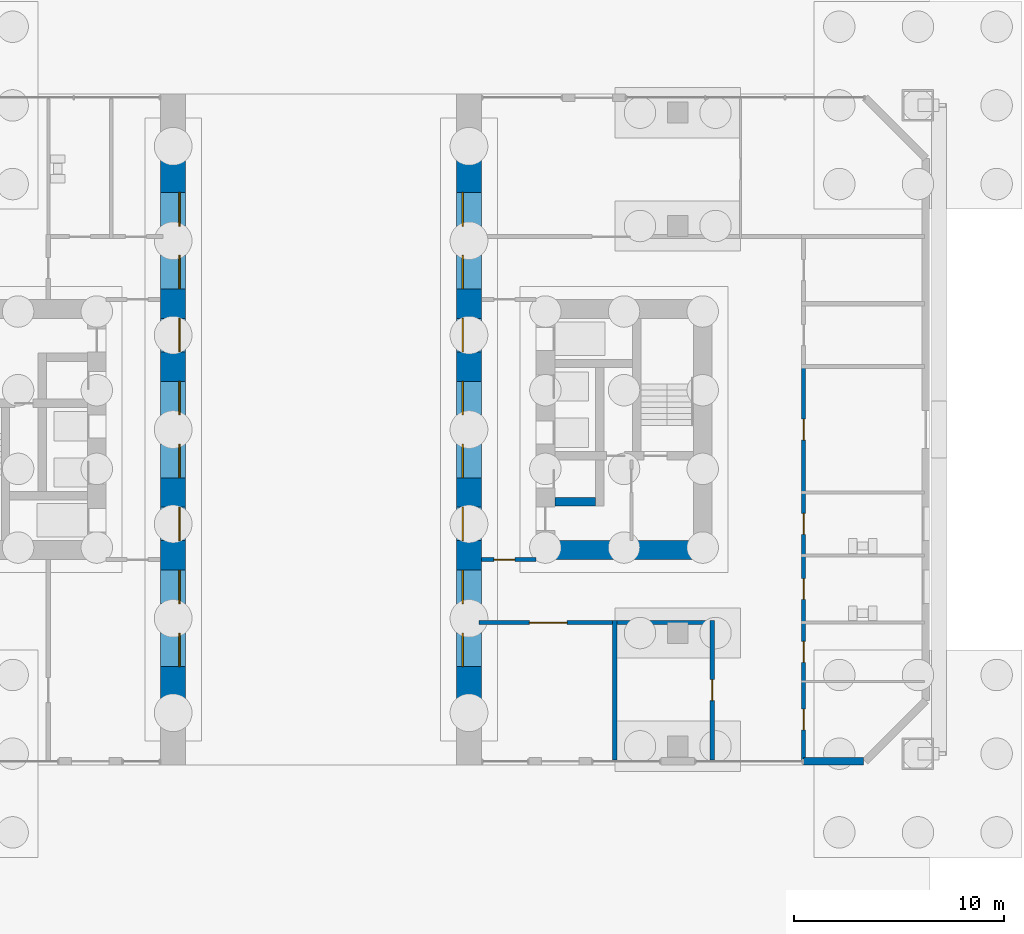
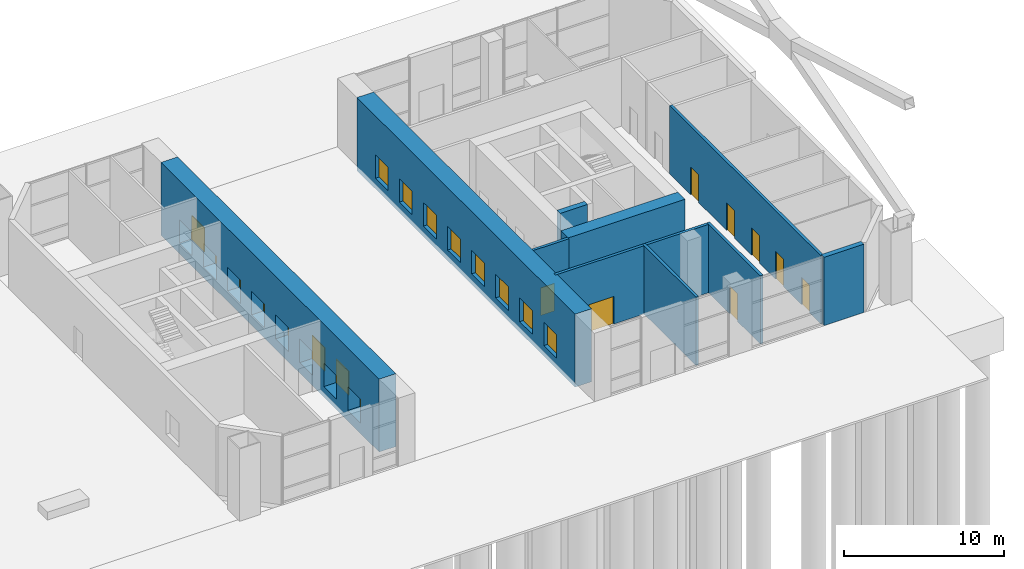
# One storey, part 18 of 26: 16 windows, 10 walls, 8 doors, 24 openings.
"""IFC4 building model written with IfcOpenShell, lengths in metres."""

from ifc_helpers import new_model, si_unit, direction, frame, frame_2d, origin, place, context, subcontext, project, spatial, rectangle, extrude, material, layer, layer_set, type_object, element, fill, save


model = new_model("IFC4")

# Units and contexts
model_context = context("Model", 3, precision=1e-05, world=origin(), true_north=direction((0.0, 1.0)))
body_context = subcontext(model_context, "Body", "Model", "MODEL_VIEW")
ifc_project = project(units=[si_unit("LENGTHUNIT", "METRE"), si_unit("AREAUNIT", "SQUARE_METRE"), si_unit("VOLUMEUNIT", "CUBIC_METRE"), si_unit("PLANEANGLEUNIT", "RADIAN"), si_unit("MASSUNIT", "GRAM", prefix="KILO")], contexts=[model_context])

# Site, building, storey
site_placement = place(None, origin())
site = spatial("IfcSite", under=ifc_project, at=site_placement, CompositionType="ELEMENT")
building_placement = place(site_placement, origin())
building = spatial("IfcBuilding", under=site, at=building_placement, Name="Tuart Gate Housing", CompositionType="ELEMENT")
storey_placement = place(building_placement, origin())
storey = spatial("IfcBuildingStorey", under=building, at=storey_placement, Name="L00", CompositionType="ELEMENT", Elevation=0.0)

# Walls
ifc_material_1 = material(Name="Brick", Category="masonry")
ifc_layer_1 = layer(ifc_material_1, 0.360107421875)
ifc_layer_set_1 = layer_set([ifc_layer_1], Name="Brick pier and spandrel wall 360")
wall_type_1 = type_object("IfcWallType", Name="Brick pier and spandrel wall 360", PredefinedType="STANDARD", material=ifc_layer_set_1)
wall_1_placement = place(storey_placement, frame((173.0, 54.179931640625, 0.0), z_axis=(0.0, 0.0, 1.0), x_axis=(1.0, 0.0, 0.0)))
element("IfcWall", 1, at=wall_1_placement, inside=storey, type_object=wall_type_1, Name="External wall B-S L00", PredefinedType="STANDARD", context=body_context, shape_type="SweptSolid", body=[
    extrude(rectangle(XDim=2.85009765625, YDim=0.360107421875, at=frame_2d((1.425048828125, 0.0))), origin(), (0.0, 0.0, 1.0), 5.199951171875),
])
ifc_material_2 = material(Name="Concrete C60", Category="concrete")
ifc_layer_2 = layer(ifc_material_2, 0.39990234375)
ifc_layer_set_2 = layer_set([ifc_layer_2], Name="Core wall 400 C60")
wall_type_2 = type_object("IfcWallType", Name="Core wall 400 C60", PredefinedType="SHEAR", material=ifc_layer_set_2)
wall_2_placement = place(storey_placement, frame((161.139892578125, 66.550048828125, 0.0), z_axis=(0.0, 0.0, 1.0), x_axis=(1.0, 0.0, 0.0)))
element("IfcWall", 2, at=wall_2_placement, inside=storey, type_object=wall_type_2, Name="Core wall BK.3", PredefinedType="SHEAR", context=body_context, shape_type="SweptSolid", body=[
    extrude(rectangle(XDim=1.9501953125, YDim=0.39990234375, at=frame_2d((0.97509765625, 0.0))), origin(), (0.0, 0.0, 1.0), 5.199951171875),
])
ifc_material_3 = material(Name="Concrete C60", Category="concrete")
ifc_layer_3 = layer(ifc_material_3, 0.89990234375)
ifc_layer_set_3 = layer_set([ifc_layer_3], Name="Core wall 900 C60")
wall_type_3 = type_object("IfcWallType", Name="Core wall 900 C60", PredefinedType="SHEAR", material=ifc_layer_set_3)
wall_3_placement = place(storey_placement, frame((160.239990234375, 64.25, 0.0), z_axis=(0.0, 0.0, 1.0), x_axis=(1.0, 0.0, 0.0)))
element("IfcWall", 3, at=wall_3_placement, inside=storey, type_object=wall_type_3, Name="Core wall BK north", PredefinedType="SHEAR", context=body_context, shape_type="SweptSolid", body=[
    extrude(rectangle(XDim=8.39990234375, YDim=0.89990234375, at=frame_2d((4.199951171875, 0.0))), origin(), (0.0, 0.0, 1.0), 5.199951171875),
])

# Wall, opening, door
ifc_material_4 = material(Name="Concrete masonry 15 MPa", Category="masonry")
ifc_layer_4 = layer(ifc_material_4, 0.199951171875)
ifc_layer_set_4 = layer_set([ifc_layer_4], Name="Corridor wall masonry 200")
wall_type_4 = type_object("IfcWallType", Name="Corridor wall masonry 200", PredefinedType="PARTITIONING", material=ifc_layer_set_4)
wall_4_placement = place(storey_placement, frame((157.530029296875, 60.800048828125, 0.0), z_axis=(0.0, 0.0, 1.0), x_axis=(1.0, 0.0, 0.0)))
wall_4 = element("IfcWall", 4, at=wall_4_placement, inside=storey, type_object=wall_type_4, Name="Corridor wall masonry 200", PredefinedType="PARTITIONING", context=body_context, shape_type="SweptSolid", body=[
    extrude(rectangle(XDim=11.2099609375, YDim=0.199951171875, at=frame_2d((5.60498046875, 0.0))), origin(), (0.0, 0.0, 1.0), 5.199951171875),
])
opening_1_placement = place(wall_4_placement, frame((2.39501953125, 0.0, 0.0)))
opening_1 = element("IfcOpeningElement", 5, at=opening_1_placement, cuts=wall_4, Name="Opening D2777", PredefinedType="OPENING", context=body_context, shape_type="SweptSolid", body=[
    extrude(rectangle(XDim=1.800048828125, YDim=2.10009765625, at=frame_2d((0.89990234375, 1.050048828125))), frame((0.0, 0.10986328125, 0.0), z_axis=(0.0, -1.0, 0.0), x_axis=(1.0, 0.0, 0.0)), (0.0, 0.0, 1.0), 0.219970703125),
])
ifc_material_5 = material(Name="Timber door leaf in steel frame", Category="steel")
door_type_1 = type_object("IfcDoorType", Name="Double door 1800", OperationType="DOUBLE_DOOR_SINGLE_SWING", PredefinedType="DOOR", material=ifc_material_5)
door_1_placement = place(opening_1_placement, origin())
door_1 = element("IfcDoor", 6, at=door_1_placement, inside=storey, type_object=door_type_1, Name="Double door 1800", OperationType="DOUBLE_DOOR_SINGLE_SWING", OverallHeight=2.10009765625, OverallWidth=1.800048828125, PredefinedType="DOOR", context=body_context, shape_type="SweptSolid", body=[
    extrude(rectangle(XDim=1.800048828125, YDim=2.10009765625, at=frame_2d((0.89990234375, 1.050048828125))), frame((0.0, 0.02490234375, 0.0), z_axis=(0.0, -1.0, 0.0), x_axis=(1.0, 0.0, 0.0)), (0.0, 0.0, 1.0), 0.050048828125),
])
fill(opening_1, door_1)

# Wall
wall_5_placement = place(storey_placement, frame((164.0, 54.239990234375, 0.0), z_axis=(0.0, 0.0, 1.0), x_axis=(0.0, 1.0, 0.0)))
element("IfcWall", 7, at=wall_5_placement, inside=storey, type_object=wall_type_4, Name="Corridor wall masonry 200", PredefinedType="PARTITIONING", context=body_context, shape_type="SweptSolid", body=[
    extrude(rectangle(XDim=6.659912109375, YDim=0.199951171875, at=frame_2d((3.330078125, 0.0))), origin(), (0.0, 0.0, 1.0), 5.199951171875),
])

# Wall, opening, door
wall_6_placement = place(storey_placement, frame((168.639892578125, 54.239990234375, 0.0), z_axis=(0.0, 0.0, 1.0), x_axis=(0.0, 1.0, 0.0)))
wall_6 = element("IfcWall", 8, at=wall_6_placement, inside=storey, type_object=wall_type_4, Name="Corridor wall masonry 200", PredefinedType="PARTITIONING", context=body_context, shape_type="SweptSolid", body=[
    extrude(rectangle(XDim=6.659912109375, YDim=0.199951171875, at=frame_2d((3.330078125, 0.0))), origin(), (0.0, 0.0, 1.0), 5.199951171875),
])
opening_2_placement = place(wall_6_placement, frame((2.840087890625, 0.0, 0.0)))
opening_2 = element("IfcOpeningElement", 9, at=opening_2_placement, cuts=wall_6, Name="Opening D2779", PredefinedType="OPENING", context=body_context, shape_type="SweptSolid", body=[
    extrude(rectangle(XDim=1.0, YDim=2.10009765625, at=frame_2d((0.5, 1.050048828125))), frame((0.0, 0.10986328125, 0.0), z_axis=(0.0, -1.0, 0.0), x_axis=(1.0, 0.0, 0.0)), (0.0, 0.0, 1.0), 0.219970703125),
])
ifc_material_6 = material(Name="Timber door leaf in steel frame", Category="steel")
door_type_2 = type_object("IfcDoorType", Name="Fire door 1000 RH", OperationType="SINGLE_SWING_RIGHT", PredefinedType="DOOR", material=ifc_material_6)
door_2_placement = place(opening_2_placement, origin())
door_2 = element("IfcDoor", 10, at=door_2_placement, inside=storey, type_object=door_type_2, Name="Fire door 1000", OperationType="SINGLE_SWING_RIGHT", OverallHeight=2.10009765625, OverallWidth=1.0, PredefinedType="DOOR", context=body_context, shape_type="SweptSolid", body=[
    extrude(rectangle(XDim=1.0, YDim=2.10009765625, at=frame_2d((0.5, 1.050048828125))), frame((0.0, 0.02490234375, 0.0), z_axis=(0.0, -1.0, 0.0), x_axis=(1.0, 0.0, 0.0)), (0.0, 0.0, 1.0), 0.050048828125),
])
fill(opening_2, door_2)

# Wall, openings, doors
wall_7_placement = place(storey_placement, frame((173.0, 54.239990234375, 0.0), z_axis=(0.0, 0.0, 1.0), x_axis=(0.0, 1.0, 0.0)))
wall_7 = element("IfcWall", 11, at=wall_7_placement, inside=storey, type_object=wall_type_4, Name="Corridor wall masonry 200", PredefinedType="PARTITIONING", context=body_context, shape_type="SweptSolid", body=[
    extrude(rectangle(XDim=18.860107421875, YDim=0.199951171875, at=frame_2d((9.43017578125, 0.0))), origin(), (0.0, 0.0, 1.0), 5.199951171875),
])
opening_3_placement = place(wall_7_placement, frame((1.43994140625, 0.0, 0.0)))
opening_3 = element("IfcOpeningElement", 12, at=opening_3_placement, cuts=wall_7, Name="Opening D2772", PredefinedType="OPENING", context=body_context, shape_type="SweptSolid", body=[
    extrude(rectangle(XDim=1.0, YDim=2.10009765625, at=frame_2d((0.5, 1.050048828125))), frame((0.0, 0.10986328125, 0.0), z_axis=(0.0, -1.0, 0.0), x_axis=(1.0, 0.0, 0.0)), (0.0, 0.0, 1.0), 0.219970703125),
])
opening_4_placement = place(wall_7_placement, frame((4.659912109375, 0.0, 0.0)))
opening_4 = element("IfcOpeningElement", 13, at=opening_4_placement, cuts=wall_7, Name="Opening D2773", PredefinedType="OPENING", context=body_context, shape_type="SweptSolid", body=[
    extrude(rectangle(XDim=1.0, YDim=2.10009765625, at=frame_2d((0.5, 1.050048828125))), frame((0.0, 0.10986328125, 0.0), z_axis=(0.0, -1.0, 0.0), x_axis=(1.0, 0.0, 0.0)), (0.0, 0.0, 1.0), 0.219970703125),
])
opening_5_placement = place(wall_7_placement, frame((7.659912109375, 0.0, 0.0)))
opening_5 = element("IfcOpeningElement", 14, at=opening_5_placement, cuts=wall_7, Name="Opening D2774", PredefinedType="OPENING", context=body_context, shape_type="SweptSolid", body=[
    extrude(rectangle(XDim=1.0, YDim=2.10009765625, at=frame_2d((0.5, 1.050048828125))), frame((0.0, 0.10986328125, 0.0), z_axis=(0.0, -1.0, 0.0), x_axis=(1.0, 0.0, 0.0)), (0.0, 0.0, 1.0), 0.219970703125),
])
opening_6_placement = place(wall_7_placement, frame((10.760009765625, 0.0, 0.0)))
opening_6 = element("IfcOpeningElement", 15, at=opening_6_placement, cuts=wall_7, Name="Opening D2775", PredefinedType="OPENING", context=body_context, shape_type="SweptSolid", body=[
    extrude(rectangle(XDim=1.0, YDim=2.10009765625, at=frame_2d((0.5, 1.050048828125))), frame((0.0, 0.10986328125, 0.0), z_axis=(0.0, -1.0, 0.0), x_axis=(1.0, 0.0, 0.0)), (0.0, 0.0, 1.0), 0.219970703125),
])
opening_7_placement = place(wall_7_placement, frame((15.260009765625, 0.0, 0.0)))
opening_7 = element("IfcOpeningElement", 16, at=opening_7_placement, cuts=wall_7, Name="Opening D2776", PredefinedType="OPENING", context=body_context, shape_type="SweptSolid", body=[
    extrude(rectangle(XDim=1.0, YDim=2.10009765625, at=frame_2d((0.5, 1.050048828125))), frame((0.0, 0.10986328125, 0.0), z_axis=(0.0, -1.0, 0.0), x_axis=(1.0, 0.0, 0.0)), (0.0, 0.0, 1.0), 0.219970703125),
])
door_3_placement = place(opening_3_placement, frame((1.0, 0.0, 0.0), z_axis=(0.0, 0.0, 1.0), x_axis=(-1.0, 0.0, 0.0)))
door_3 = element("IfcDoor", 17, at=door_3_placement, inside=storey, type_object=door_type_2, Name="Fire door 1000", OperationType="SINGLE_SWING_RIGHT", OverallHeight=2.10009765625, OverallWidth=1.0, PredefinedType="DOOR", context=body_context, shape_type="SweptSolid", body=[
    extrude(rectangle(XDim=1.0, YDim=2.10009765625, at=frame_2d((0.5, 1.050048828125))), frame((0.0, 0.025146484375, 0.0), z_axis=(0.0, -1.0, 0.0), x_axis=(1.0, 0.0, 0.0)), (0.0, 0.0, 1.0), 0.050048828125),
])
fill(opening_3, door_3)
door_4_placement = place(opening_4_placement, frame((1.0, 0.0, 0.0), z_axis=(0.0, 0.0, 1.0), x_axis=(-1.0, 0.0, 0.0)))
door_4 = element("IfcDoor", 18, at=door_4_placement, inside=storey, type_object=door_type_2, Name="Fire door 1000", OperationType="SINGLE_SWING_RIGHT", OverallHeight=2.10009765625, OverallWidth=1.0, PredefinedType="DOOR", context=body_context, shape_type="SweptSolid", body=[
    extrude(rectangle(XDim=1.0, YDim=2.10009765625, at=frame_2d((0.5, 1.050048828125))), frame((0.0, 0.025146484375, 0.0), z_axis=(0.0, -1.0, 0.0), x_axis=(1.0, 0.0, 0.0)), (0.0, 0.0, 1.0), 0.050048828125),
])
fill(opening_4, door_4)
door_5_placement = place(opening_5_placement, frame((1.0, 0.0, 0.0), z_axis=(0.0, 0.0, 1.0), x_axis=(-1.0, 0.0, 0.0)))
door_5 = element("IfcDoor", 19, at=door_5_placement, inside=storey, type_object=door_type_2, Name="Fire door 1000", OperationType="SINGLE_SWING_RIGHT", OverallHeight=2.10009765625, OverallWidth=1.0, PredefinedType="DOOR", context=body_context, shape_type="SweptSolid", body=[
    extrude(rectangle(XDim=1.0, YDim=2.10009765625, at=frame_2d((0.5, 1.050048828125))), frame((0.0, 0.025146484375, 0.0), z_axis=(0.0, -1.0, 0.0), x_axis=(1.0, 0.0, 0.0)), (0.0, 0.0, 1.0), 0.050048828125),
])
fill(opening_5, door_5)
door_6_placement = place(opening_6_placement, frame((1.0, 0.0, 0.0), z_axis=(0.0, 0.0, 1.0), x_axis=(-1.0, 0.0, 0.0)))
door_6 = element("IfcDoor", 20, at=door_6_placement, inside=storey, type_object=door_type_2, Name="Fire door 1000", OperationType="SINGLE_SWING_RIGHT", OverallHeight=2.10009765625, OverallWidth=1.0, PredefinedType="DOOR", context=body_context, shape_type="SweptSolid", body=[
    extrude(rectangle(XDim=1.0, YDim=2.10009765625, at=frame_2d((0.5, 1.050048828125))), frame((0.0, 0.025146484375, 0.0), z_axis=(0.0, -1.0, 0.0), x_axis=(1.0, 0.0, 0.0)), (0.0, 0.0, 1.0), 0.050048828125),
])
fill(opening_6, door_6)
door_7_placement = place(opening_7_placement, frame((1.0, 0.0, 0.0), z_axis=(0.0, 0.0, 1.0), x_axis=(-1.0, 0.0, 0.0)))
door_7 = element("IfcDoor", 21, at=door_7_placement, inside=storey, type_object=door_type_2, Name="Fire door 1000", OperationType="SINGLE_SWING_RIGHT", OverallHeight=2.10009765625, OverallWidth=1.0, PredefinedType="DOOR", context=body_context, shape_type="SweptSolid", body=[
    extrude(rectangle(XDim=1.0, YDim=2.10009765625, at=frame_2d((0.5, 1.050048828125))), frame((0.0, 0.025146484375, 0.0), z_axis=(0.0, -1.0, 0.0), x_axis=(1.0, 0.0, 0.0)), (0.0, 0.0, 1.0), 0.050048828125),
])
fill(opening_7, door_7)

# Wall, opening, door
ifc_material_7 = material(Name="Concrete masonry 15 MPa", Category="masonry")
ifc_layer_5 = layer(ifc_material_7, 0.199951171875)
ifc_layer_set_5 = layer_set([ifc_layer_5], Name="Enclosure wall masonry 200")
wall_type_5 = type_object("IfcWallType", Name="Enclosure wall masonry 200", PredefinedType="PARTITIONING", material=ifc_layer_set_5)
wall_8_placement = place(storey_placement, frame((157.64990234375, 63.800048828125, 0.0), z_axis=(0.0, 0.0, 1.0), x_axis=(1.0, 0.0, 0.0)))
wall_8 = element("IfcWall", 22, at=wall_8_placement, inside=storey, type_object=wall_type_5, Name="Enclosure wall masonry 200", PredefinedType="PARTITIONING", context=body_context, shape_type="SweptSolid", body=[
    extrude(rectangle(XDim=2.590087890625, YDim=0.199951171875, at=frame_2d((1.294921875, 0.0))), origin(), (0.0, 0.0, 1.0), 5.199951171875),
])
opening_8_placement = place(wall_8_placement, frame((0.590087890625, 0.0, 0.0)))
opening_8 = element("IfcOpeningElement", 23, at=opening_8_placement, cuts=wall_8, Name="Opening D2771", PredefinedType="OPENING", context=body_context, shape_type="SweptSolid", body=[
    extrude(rectangle(XDim=1.0, YDim=2.10009765625, at=frame_2d((0.5, 1.050048828125))), frame((0.0, 0.10986328125, 0.0), z_axis=(0.0, -1.0, 0.0), x_axis=(1.0, 0.0, 0.0)), (0.0, 0.0, 1.0), 0.219970703125),
])
ifc_material_8 = material(Name="Timber door leaf in steel frame", Category="steel")
door_type_3 = type_object("IfcDoorType", Name="Lobby door 1000 RH", OperationType="SINGLE_SWING_RIGHT", PredefinedType="DOOR", material=ifc_material_8)
door_8_placement = place(opening_8_placement, frame((1.0, 0.0, 0.0), z_axis=(0.0, 0.0, 1.0), x_axis=(-1.0, 0.0, 0.0)))
door_8 = element("IfcDoor", 24, at=door_8_placement, inside=storey, type_object=door_type_3, Name="Lobby door 1000", OperationType="SINGLE_SWING_RIGHT", OverallHeight=2.10009765625, OverallWidth=1.0, PredefinedType="DOOR", context=body_context, shape_type="SweptSolid", body=[
    extrude(rectangle(XDim=1.0, YDim=2.10009765625, at=frame_2d((0.5, 1.050048828125))), frame((0.0, 0.025146484375, 0.0), z_axis=(0.0, -1.0, 0.0), x_axis=(1.0, 0.0, 0.0)), (0.0, 0.0, 1.0), 0.050048828125),
])
fill(opening_8, door_8)

# Wall, openings, windows
ifc_material_9 = material(Name="Concrete C60", Category="concrete")
ifc_layer_6 = layer(ifc_material_9, 1.199951171875)
ifc_layer_set_6 = layer_set([ifc_layer_6], Name="RC wall 1200 C60")
wall_type_6 = type_object("IfcWallType", Name="RC wall 1200 C60", PredefinedType="SHEAR", material=ifc_layer_set_6)
wall_9_placement = place(storey_placement, frame((142.949951171875, 56.39990234375, -0.35009765625), z_axis=(0.0, 0.0, 1.0), x_axis=(0.0, 1.0, 0.0)))
wall_9 = element("IfcWall", 25, at=wall_9_placement, inside=storey, type_object=wall_type_6, Name="Pier wall BW L00", PredefinedType="SHEAR", context=body_context, shape_type="SweptSolid", body=[
    extrude(rectangle(XDim=27.2001953125, YDim=1.199951171875, at=frame_2d((13.60009765625, 0.0))), origin(), (0.0, 0.0, 1.0), 5.550048828125),
])
opening_9_placement = place(wall_9_placement, frame((2.300048828125, 0.0, 0.800048828125)))
opening_9 = element("IfcOpeningElement", 26, at=opening_9_placement, cuts=wall_9, Name="Opening W1", PredefinedType="OPENING", context=body_context, shape_type="SweptSolid", body=[
    extrude(rectangle(XDim=1.60009765625, YDim=1.800048828125, at=frame_2d((0.800048828125, 0.89990234375))), frame((0.0, 0.60986328125, 0.0), z_axis=(0.0, -1.0, 0.0), x_axis=(1.0, 0.0, 0.0)), (0.0, 0.0, 1.0), 1.219970703125),
])
opening_10_placement = place(wall_9_placement, frame((5.300048828125, 0.0, 0.800048828125)))
opening_10 = element("IfcOpeningElement", 27, at=opening_10_placement, cuts=wall_9, Name="Opening W1", PredefinedType="OPENING", context=body_context, shape_type="SweptSolid", body=[
    extrude(rectangle(XDim=1.60009765625, YDim=1.800048828125, at=frame_2d((0.800048828125, 0.89990234375))), frame((0.0, 0.60986328125, 0.0), z_axis=(0.0, -1.0, 0.0), x_axis=(1.0, 0.0, 0.0)), (0.0, 0.0, 1.0), 1.219970703125),
])
opening_11_placement = place(wall_9_placement, frame((8.300048828125, 0.0, 0.800048828125)))
opening_11 = element("IfcOpeningElement", 28, at=opening_11_placement, cuts=wall_9, Name="Opening W1", PredefinedType="OPENING", context=body_context, shape_type="SweptSolid", body=[
    extrude(rectangle(XDim=1.60009765625, YDim=1.800048828125, at=frame_2d((0.800048828125, 0.89990234375))), frame((0.0, 0.60986328125, 0.0), z_axis=(0.0, -1.0, 0.0), x_axis=(1.0, 0.0, 0.0)), (0.0, 0.0, 1.0), 1.219970703125),
])
opening_12_placement = place(wall_9_placement, frame((11.300048828125, 0.0, 0.800048828125)))
opening_12 = element("IfcOpeningElement", 29, at=opening_12_placement, cuts=wall_9, Name="Opening W1", PredefinedType="OPENING", context=body_context, shape_type="SweptSolid", body=[
    extrude(rectangle(XDim=1.60009765625, YDim=1.800048828125, at=frame_2d((0.800048828125, 0.89990234375))), frame((0.0, 0.60986328125, 0.0), z_axis=(0.0, -1.0, 0.0), x_axis=(1.0, 0.0, 0.0)), (0.0, 0.0, 1.0), 1.219970703125),
])
opening_13_placement = place(wall_9_placement, frame((14.300048828125, 0.0, 0.800048828125)))
opening_13 = element("IfcOpeningElement", 30, at=opening_13_placement, cuts=wall_9, Name="Opening W1", PredefinedType="OPENING", context=body_context, shape_type="SweptSolid", body=[
    extrude(rectangle(XDim=1.60009765625, YDim=1.800048828125, at=frame_2d((0.800048828125, 0.89990234375))), frame((0.0, 0.60986328125, 0.0), z_axis=(0.0, -1.0, 0.0), x_axis=(1.0, 0.0, 0.0)), (0.0, 0.0, 1.0), 1.219970703125),
])
opening_14_placement = place(wall_9_placement, frame((17.300048828125, 0.0, 0.800048828125)))
opening_14 = element("IfcOpeningElement", 31, at=opening_14_placement, cuts=wall_9, Name="Opening W1", PredefinedType="OPENING", context=body_context, shape_type="SweptSolid", body=[
    extrude(rectangle(XDim=1.60009765625, YDim=1.800048828125, at=frame_2d((0.800048828125, 0.89990234375))), frame((0.0, 0.60986328125, 0.0), z_axis=(0.0, -1.0, 0.0), x_axis=(1.0, 0.0, 0.0)), (0.0, 0.0, 1.0), 1.219970703125),
])
opening_15_placement = place(wall_9_placement, frame((20.300048828125, 0.0, 0.800048828125)))
opening_15 = element("IfcOpeningElement", 32, at=opening_15_placement, cuts=wall_9, Name="Opening W1", PredefinedType="OPENING", context=body_context, shape_type="SweptSolid", body=[
    extrude(rectangle(XDim=1.60009765625, YDim=1.800048828125, at=frame_2d((0.800048828125, 0.89990234375))), frame((0.0, 0.60986328125, 0.0), z_axis=(0.0, -1.0, 0.0), x_axis=(1.0, 0.0, 0.0)), (0.0, 0.0, 1.0), 1.219970703125),
])
opening_16_placement = place(wall_9_placement, frame((23.300048828125, 0.0, 0.800048828125)))
opening_16 = element("IfcOpeningElement", 33, at=opening_16_placement, cuts=wall_9, Name="Opening W1", PredefinedType="OPENING", context=body_context, shape_type="SweptSolid", body=[
    extrude(rectangle(XDim=1.60009765625, YDim=1.800048828125, at=frame_2d((0.800048828125, 0.89990234375))), frame((0.0, 0.60986328125, 0.0), z_axis=(0.0, -1.0, 0.0), x_axis=(1.0, 0.0, 0.0)), (0.0, 0.0, 1.0), 1.219970703125),
])
ifc_material_10 = material(Name="Aluminium frame with clear glass", Category="aluminium")
window_type = type_object("IfcWindowType", Name="Punched window 1600 x 1800", PartitioningType="SINGLE_PANEL", PredefinedType="WINDOW", material=ifc_material_10)
window_1_placement = place(opening_9_placement, origin())
window_1 = element("IfcWindow", 34, at=window_1_placement, inside=storey, type_object=window_type, Name="Window W1", OverallHeight=1.800048828125, OverallWidth=1.60009765625, PartitioningType="SINGLE_PANEL", PredefinedType="WINDOW", context=body_context, shape_type="SweptSolid", body=[
    extrude(rectangle(XDim=1.60009765625, YDim=1.800048828125, at=frame_2d((0.800048828125, 0.89990234375))), frame((0.0, -0.27001953125, 0.0), z_axis=(0.0, -1.0, 0.0), x_axis=(1.0, 0.0, 0.0)), (0.0, 0.0, 1.0), 0.06005859375),
])
fill(opening_9, window_1)
window_2_placement = place(opening_10_placement, origin())
window_2 = element("IfcWindow", 35, at=window_2_placement, inside=storey, type_object=window_type, Name="Window W1", OverallHeight=1.800048828125, OverallWidth=1.60009765625, PartitioningType="SINGLE_PANEL", PredefinedType="WINDOW", context=body_context, shape_type="SweptSolid", body=[
    extrude(rectangle(XDim=1.60009765625, YDim=1.800048828125, at=frame_2d((0.800048828125, 0.89990234375))), frame((0.0, -0.27001953125, 0.0), z_axis=(0.0, -1.0, 0.0), x_axis=(1.0, 0.0, 0.0)), (0.0, 0.0, 1.0), 0.06005859375),
])
fill(opening_10, window_2)
window_3_placement = place(opening_11_placement, origin())
window_3 = element("IfcWindow", 36, at=window_3_placement, inside=storey, type_object=window_type, Name="Window W1", OverallHeight=1.800048828125, OverallWidth=1.60009765625, PartitioningType="SINGLE_PANEL", PredefinedType="WINDOW", context=body_context, shape_type="SweptSolid", body=[
    extrude(rectangle(XDim=1.60009765625, YDim=1.800048828125, at=frame_2d((0.800048828125, 0.89990234375))), frame((0.0, -0.27001953125, 0.0), z_axis=(0.0, -1.0, 0.0), x_axis=(1.0, 0.0, 0.0)), (0.0, 0.0, 1.0), 0.06005859375),
])
fill(opening_11, window_3)
window_4_placement = place(opening_12_placement, origin())
window_4 = element("IfcWindow", 37, at=window_4_placement, inside=storey, type_object=window_type, Name="Window W1", OverallHeight=1.800048828125, OverallWidth=1.60009765625, PartitioningType="SINGLE_PANEL", PredefinedType="WINDOW", context=body_context, shape_type="SweptSolid", body=[
    extrude(rectangle(XDim=1.60009765625, YDim=1.800048828125, at=frame_2d((0.800048828125, 0.89990234375))), frame((0.0, -0.27001953125, 0.0), z_axis=(0.0, -1.0, 0.0), x_axis=(1.0, 0.0, 0.0)), (0.0, 0.0, 1.0), 0.06005859375),
])
fill(opening_12, window_4)
window_5_placement = place(opening_13_placement, origin())
window_5 = element("IfcWindow", 38, at=window_5_placement, inside=storey, type_object=window_type, Name="Window W1", OverallHeight=1.800048828125, OverallWidth=1.60009765625, PartitioningType="SINGLE_PANEL", PredefinedType="WINDOW", context=body_context, shape_type="SweptSolid", body=[
    extrude(rectangle(XDim=1.60009765625, YDim=1.800048828125, at=frame_2d((0.800048828125, 0.89990234375))), frame((0.0, -0.27001953125, 0.0), z_axis=(0.0, -1.0, 0.0), x_axis=(1.0, 0.0, 0.0)), (0.0, 0.0, 1.0), 0.06005859375),
])
fill(opening_13, window_5)
window_6_placement = place(opening_14_placement, origin())
window_6 = element("IfcWindow", 39, at=window_6_placement, inside=storey, type_object=window_type, Name="Window W1", OverallHeight=1.800048828125, OverallWidth=1.60009765625, PartitioningType="SINGLE_PANEL", PredefinedType="WINDOW", context=body_context, shape_type="SweptSolid", body=[
    extrude(rectangle(XDim=1.60009765625, YDim=1.800048828125, at=frame_2d((0.800048828125, 0.89990234375))), frame((0.0, -0.27001953125, 0.0), z_axis=(0.0, -1.0, 0.0), x_axis=(1.0, 0.0, 0.0)), (0.0, 0.0, 1.0), 0.06005859375),
])
fill(opening_14, window_6)
window_7_placement = place(opening_15_placement, origin())
window_7 = element("IfcWindow", 40, at=window_7_placement, inside=storey, type_object=window_type, Name="Window W1", OverallHeight=1.800048828125, OverallWidth=1.60009765625, PartitioningType="SINGLE_PANEL", PredefinedType="WINDOW", context=body_context, shape_type="SweptSolid", body=[
    extrude(rectangle(XDim=1.60009765625, YDim=1.800048828125, at=frame_2d((0.800048828125, 0.89990234375))), frame((0.0, -0.27001953125, 0.0), z_axis=(0.0, -1.0, 0.0), x_axis=(1.0, 0.0, 0.0)), (0.0, 0.0, 1.0), 0.06005859375),
])
fill(opening_15, window_7)
window_8_placement = place(opening_16_placement, origin())
window_8 = element("IfcWindow", 41, at=window_8_placement, inside=storey, type_object=window_type, Name="Window W1", OverallHeight=1.800048828125, OverallWidth=1.60009765625, PartitioningType="SINGLE_PANEL", PredefinedType="WINDOW", context=body_context, shape_type="SweptSolid", body=[
    extrude(rectangle(XDim=1.60009765625, YDim=1.800048828125, at=frame_2d((0.800048828125, 0.89990234375))), frame((0.0, -0.27001953125, 0.0), z_axis=(0.0, -1.0, 0.0), x_axis=(1.0, 0.0, 0.0)), (0.0, 0.0, 1.0), 0.06005859375),
])
fill(opening_16, window_8)

wall_10_placement = place(storey_placement, frame((157.050048828125, 56.39990234375, -0.35009765625), z_axis=(0.0, 0.0, 1.0), x_axis=(0.0, 1.0, 0.0)))
wall_10 = element("IfcWall", 42, at=wall_10_placement, inside=storey, type_object=wall_type_6, Name="Pier wall BE L00", PredefinedType="SHEAR", context=body_context, shape_type="SweptSolid", body=[
    extrude(rectangle(XDim=27.2001953125, YDim=1.199951171875, at=frame_2d((13.60009765625, 0.0))), origin(), (0.0, 0.0, 1.0), 5.550048828125),
])
opening_17_placement = place(wall_10_placement, frame((2.300048828125, 0.0, 0.800048828125)))
opening_17 = element("IfcOpeningElement", 43, at=opening_17_placement, cuts=wall_10, Name="Opening W1", PredefinedType="OPENING", context=body_context, shape_type="SweptSolid", body=[
    extrude(rectangle(XDim=1.60009765625, YDim=1.800048828125, at=frame_2d((0.800048828125, 0.89990234375))), frame((0.0, 0.60986328125, 0.0), z_axis=(0.0, -1.0, 0.0), x_axis=(1.0, 0.0, 0.0)), (0.0, 0.0, 1.0), 1.219970703125),
])
opening_18_placement = place(wall_10_placement, frame((5.300048828125, 0.0, 0.800048828125)))
opening_18 = element("IfcOpeningElement", 44, at=opening_18_placement, cuts=wall_10, Name="Opening W1", PredefinedType="OPENING", context=body_context, shape_type="SweptSolid", body=[
    extrude(rectangle(XDim=1.60009765625, YDim=1.800048828125, at=frame_2d((0.800048828125, 0.89990234375))), frame((0.0, 0.60986328125, 0.0), z_axis=(0.0, -1.0, 0.0), x_axis=(1.0, 0.0, 0.0)), (0.0, 0.0, 1.0), 1.219970703125),
])
opening_19_placement = place(wall_10_placement, frame((8.300048828125, 0.0, 0.800048828125)))
opening_19 = element("IfcOpeningElement", 45, at=opening_19_placement, cuts=wall_10, Name="Opening W1", PredefinedType="OPENING", context=body_context, shape_type="SweptSolid", body=[
    extrude(rectangle(XDim=1.60009765625, YDim=1.800048828125, at=frame_2d((0.800048828125, 0.89990234375))), frame((0.0, 0.60986328125, 0.0), z_axis=(0.0, -1.0, 0.0), x_axis=(1.0, 0.0, 0.0)), (0.0, 0.0, 1.0), 1.219970703125),
])
opening_20_placement = place(wall_10_placement, frame((11.300048828125, 0.0, 0.800048828125)))
opening_20 = element("IfcOpeningElement", 46, at=opening_20_placement, cuts=wall_10, Name="Opening W1", PredefinedType="OPENING", context=body_context, shape_type="SweptSolid", body=[
    extrude(rectangle(XDim=1.60009765625, YDim=1.800048828125, at=frame_2d((0.800048828125, 0.89990234375))), frame((0.0, 0.60986328125, 0.0), z_axis=(0.0, -1.0, 0.0), x_axis=(1.0, 0.0, 0.0)), (0.0, 0.0, 1.0), 1.219970703125),
])
opening_21_placement = place(wall_10_placement, frame((14.300048828125, 0.0, 0.800048828125)))
opening_21 = element("IfcOpeningElement", 47, at=opening_21_placement, cuts=wall_10, Name="Opening W1", PredefinedType="OPENING", context=body_context, shape_type="SweptSolid", body=[
    extrude(rectangle(XDim=1.60009765625, YDim=1.800048828125, at=frame_2d((0.800048828125, 0.89990234375))), frame((0.0, 0.60986328125, 0.0), z_axis=(0.0, -1.0, 0.0), x_axis=(1.0, 0.0, 0.0)), (0.0, 0.0, 1.0), 1.219970703125),
])
opening_22_placement = place(wall_10_placement, frame((17.300048828125, 0.0, 0.800048828125)))
opening_22 = element("IfcOpeningElement", 48, at=opening_22_placement, cuts=wall_10, Name="Opening W1", PredefinedType="OPENING", context=body_context, shape_type="SweptSolid", body=[
    extrude(rectangle(XDim=1.60009765625, YDim=1.800048828125, at=frame_2d((0.800048828125, 0.89990234375))), frame((0.0, 0.60986328125, 0.0), z_axis=(0.0, -1.0, 0.0), x_axis=(1.0, 0.0, 0.0)), (0.0, 0.0, 1.0), 1.219970703125),
])
opening_23_placement = place(wall_10_placement, frame((20.300048828125, 0.0, 0.800048828125)))
opening_23 = element("IfcOpeningElement", 49, at=opening_23_placement, cuts=wall_10, Name="Opening W1", PredefinedType="OPENING", context=body_context, shape_type="SweptSolid", body=[
    extrude(rectangle(XDim=1.60009765625, YDim=1.800048828125, at=frame_2d((0.800048828125, 0.89990234375))), frame((0.0, 0.60986328125, 0.0), z_axis=(0.0, -1.0, 0.0), x_axis=(1.0, 0.0, 0.0)), (0.0, 0.0, 1.0), 1.219970703125),
])
opening_24_placement = place(wall_10_placement, frame((23.300048828125, 0.0, 0.800048828125)))
opening_24 = element("IfcOpeningElement", 50, at=opening_24_placement, cuts=wall_10, Name="Opening W1", PredefinedType="OPENING", context=body_context, shape_type="SweptSolid", body=[
    extrude(rectangle(XDim=1.60009765625, YDim=1.800048828125, at=frame_2d((0.800048828125, 0.89990234375))), frame((0.0, 0.60986328125, 0.0), z_axis=(0.0, -1.0, 0.0), x_axis=(1.0, 0.0, 0.0)), (0.0, 0.0, 1.0), 1.219970703125),
])
window_9_placement = place(opening_17_placement, origin())
window_9 = element("IfcWindow", 51, at=window_9_placement, inside=storey, type_object=window_type, Name="Window W1", OverallHeight=1.800048828125, OverallWidth=1.60009765625, PartitioningType="SINGLE_PANEL", PredefinedType="WINDOW", context=body_context, shape_type="SweptSolid", body=[
    extrude(rectangle(XDim=1.60009765625, YDim=1.800048828125, at=frame_2d((0.800048828125, 0.89990234375))), frame((0.0, 0.330078125, 0.0), z_axis=(0.0, -1.0, 0.0), x_axis=(1.0, 0.0, 0.0)), (0.0, 0.0, 1.0), 0.06005859375),
])
fill(opening_17, window_9)
window_10_placement = place(opening_18_placement, origin())
window_10 = element("IfcWindow", 52, at=window_10_placement, inside=storey, type_object=window_type, Name="Window W1", OverallHeight=1.800048828125, OverallWidth=1.60009765625, PartitioningType="SINGLE_PANEL", PredefinedType="WINDOW", context=body_context, shape_type="SweptSolid", body=[
    extrude(rectangle(XDim=1.60009765625, YDim=1.800048828125, at=frame_2d((0.800048828125, 0.89990234375))), frame((0.0, 0.330078125, 0.0), z_axis=(0.0, -1.0, 0.0), x_axis=(1.0, 0.0, 0.0)), (0.0, 0.0, 1.0), 0.06005859375),
])
fill(opening_18, window_10)
window_11_placement = place(opening_19_placement, origin())
window_11 = element("IfcWindow", 53, at=window_11_placement, inside=storey, type_object=window_type, Name="Window W1", OverallHeight=1.800048828125, OverallWidth=1.60009765625, PartitioningType="SINGLE_PANEL", PredefinedType="WINDOW", context=body_context, shape_type="SweptSolid", body=[
    extrude(rectangle(XDim=1.60009765625, YDim=1.800048828125, at=frame_2d((0.800048828125, 0.89990234375))), frame((0.0, 0.330078125, 0.0), z_axis=(0.0, -1.0, 0.0), x_axis=(1.0, 0.0, 0.0)), (0.0, 0.0, 1.0), 0.06005859375),
])
fill(opening_19, window_11)
window_12_placement = place(opening_20_placement, origin())
window_12 = element("IfcWindow", 54, at=window_12_placement, inside=storey, type_object=window_type, Name="Window W1", OverallHeight=1.800048828125, OverallWidth=1.60009765625, PartitioningType="SINGLE_PANEL", PredefinedType="WINDOW", context=body_context, shape_type="SweptSolid", body=[
    extrude(rectangle(XDim=1.60009765625, YDim=1.800048828125, at=frame_2d((0.800048828125, 0.89990234375))), frame((0.0, 0.330078125, 0.0), z_axis=(0.0, -1.0, 0.0), x_axis=(1.0, 0.0, 0.0)), (0.0, 0.0, 1.0), 0.06005859375),
])
fill(opening_20, window_12)
window_13_placement = place(opening_21_placement, origin())
window_13 = element("IfcWindow", 55, at=window_13_placement, inside=storey, type_object=window_type, Name="Window W1", OverallHeight=1.800048828125, OverallWidth=1.60009765625, PartitioningType="SINGLE_PANEL", PredefinedType="WINDOW", context=body_context, shape_type="SweptSolid", body=[
    extrude(rectangle(XDim=1.60009765625, YDim=1.800048828125, at=frame_2d((0.800048828125, 0.89990234375))), frame((0.0, 0.330078125, 0.0), z_axis=(0.0, -1.0, 0.0), x_axis=(1.0, 0.0, 0.0)), (0.0, 0.0, 1.0), 0.06005859375),
])
fill(opening_21, window_13)
window_14_placement = place(opening_22_placement, origin())
window_14 = element("IfcWindow", 56, at=window_14_placement, inside=storey, type_object=window_type, Name="Window W1", OverallHeight=1.800048828125, OverallWidth=1.60009765625, PartitioningType="SINGLE_PANEL", PredefinedType="WINDOW", context=body_context, shape_type="SweptSolid", body=[
    extrude(rectangle(XDim=1.60009765625, YDim=1.800048828125, at=frame_2d((0.800048828125, 0.89990234375))), frame((0.0, 0.330078125, 0.0), z_axis=(0.0, -1.0, 0.0), x_axis=(1.0, 0.0, 0.0)), (0.0, 0.0, 1.0), 0.06005859375),
])
fill(opening_22, window_14)
window_15_placement = place(opening_23_placement, origin())
window_15 = element("IfcWindow", 57, at=window_15_placement, inside=storey, type_object=window_type, Name="Window W1", OverallHeight=1.800048828125, OverallWidth=1.60009765625, PartitioningType="SINGLE_PANEL", PredefinedType="WINDOW", context=body_context, shape_type="SweptSolid", body=[
    extrude(rectangle(XDim=1.60009765625, YDim=1.800048828125, at=frame_2d((0.800048828125, 0.89990234375))), frame((0.0, 0.330078125, 0.0), z_axis=(0.0, -1.0, 0.0), x_axis=(1.0, 0.0, 0.0)), (0.0, 0.0, 1.0), 0.06005859375),
])
fill(opening_23, window_15)
window_16_placement = place(opening_24_placement, origin())
window_16 = element("IfcWindow", 58, at=window_16_placement, inside=storey, type_object=window_type, Name="Window W1", OverallHeight=1.800048828125, OverallWidth=1.60009765625, PartitioningType="SINGLE_PANEL", PredefinedType="WINDOW", context=body_context, shape_type="SweptSolid", body=[
    extrude(rectangle(XDim=1.60009765625, YDim=1.800048828125, at=frame_2d((0.800048828125, 0.89990234375))), frame((0.0, 0.330078125, 0.0), z_axis=(0.0, -1.0, 0.0), x_axis=(1.0, 0.0, 0.0)), (0.0, 0.0, 1.0), 0.06005859375),
])
fill(opening_24, window_16)

save(model, "model.ifc")
